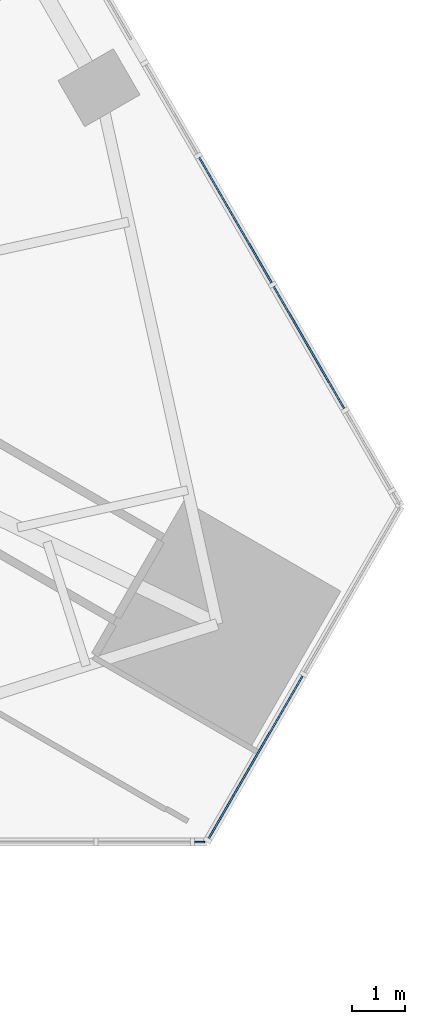
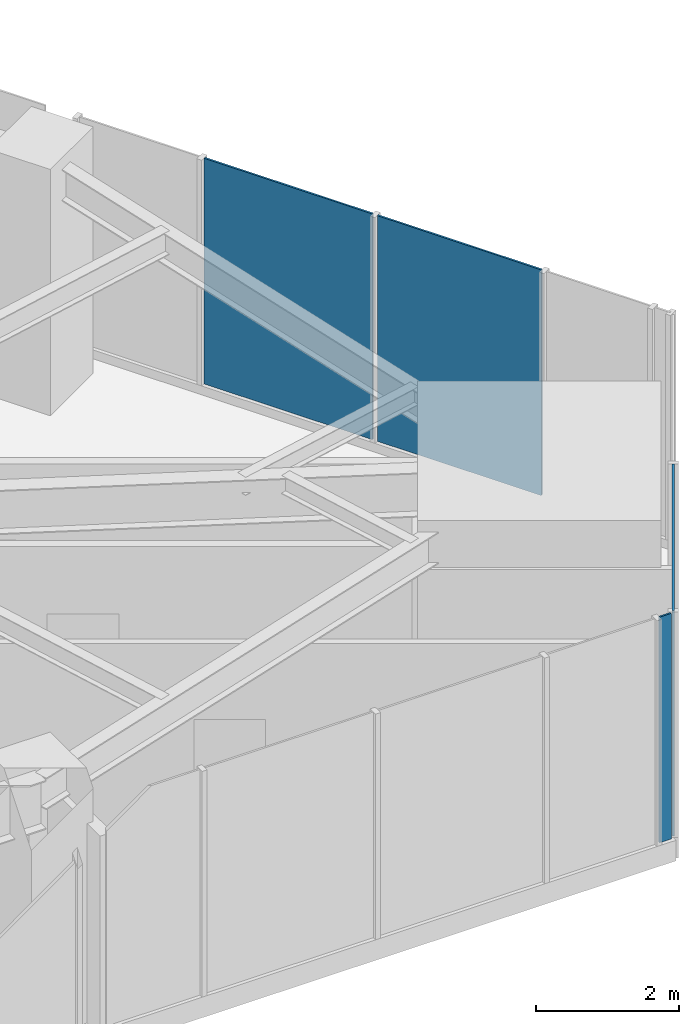
# One storey, part 17 of 29: 4 plates, 3 elements without a shape of their own.
"""IFC4 building model written with IfcOpenShell, lengths in metres."""

from ifc_helpers import new_model, si_unit, direction, frame, origin, place, context, subcontext, project, spatial, polyline, outline, extrude, material, layer, layer_set, type_object, element, aggregate, save


model = new_model("IFC4")

# Units and contexts
model_context = context("Model", 3, precision=1e-05, world=origin(), true_north=direction((0.0, 1.0)))
body_context = subcontext(model_context, "Body", "Model", "MODEL_VIEW")
ifc_project = project(units=[si_unit("LENGTHUNIT", "METRE"), si_unit("AREAUNIT", "SQUARE_METRE"), si_unit("VOLUMEUNIT", "CUBIC_METRE"), si_unit("PLANEANGLEUNIT", "RADIAN"), si_unit("MASSUNIT", "GRAM", prefix="KILO")], contexts=[model_context])

# Site, building, storey
site_placement = place(None, origin())
site = spatial("IfcSite", under=ifc_project, at=site_placement, CompositionType="ELEMENT")
building_placement = place(site_placement, origin())
building = spatial("IfcBuilding", under=site, at=building_placement, Name="Firuza Gate Tower and Library", CompositionType="ELEMENT")
storey_placement = place(building_placement, frame((0.0, 0.0, 44.199951171875)))
storey = spatial("IfcBuildingStorey", under=building, at=storey_placement, Name="L09", CompositionType="ELEMENT", Elevation=44.199951171875)

# Curtain wall, plate
ifc_material_1 = material(Name="Aluminium 6063-T6", Category="aluminium")
ifc_layer_1 = layer(ifc_material_1, 0.14990234375)
ifc_layer_set_1 = layer_set([ifc_layer_1], Name="Corner curtain wall, chamfers")
curtain_wall_type_1 = type_object("IfcCurtainWallType", Name="Corner curtain wall, chamfers", PredefinedType="NOTDEFINED", material=ifc_layer_set_1)
placement = place(storey_placement, origin())
curtain_wall_1 = element("IfcCurtainWall", 1, at=placement, inside=storey, type_object=curtain_wall_type_1, Name="CW4 L09 SE corner", PredefinedType="NOTDEFINED")
ifc_material_2 = material(Name="Fritted glass", Category="glass")
ifc_layer_2 = layer(ifc_material_2, 0.030029296875)
ifc_layer_set_2 = layer_set([ifc_layer_2], Name="Fritted glass unit, corners")
plate_type_1 = type_object("IfcPlateType", Name="Fritted glass unit, corners", PredefinedType="CURTAIN_PANEL", material=ifc_layer_set_2)
plate_1_placement = place(storey_placement, frame((103.876220703125, 54.16748046875, 0.150146484375), z_axis=(0.866016723041, -0.500015035186, 0.0), x_axis=(0.500015035186, 0.866016723041, 0.0)))
plate_1 = element("IfcPlate", 2, at=plate_1_placement, type_object=plate_type_1, Name="Glass unit", PredefinedType="CURTAIN_PANEL", context=body_context, shape_type="SweptSolid", body=[
    extrude(outline(polyline([(0.0, 0.0), (3.5633694106530625, 0.0), (3.5633694106530625, 3.849853515625), (0.0, 3.849853515625), (0.0, 0.0)])), origin(), (0.0, 0.0, -1.0), 0.030029296875),
])
aggregate(curtain_wall_1, [plate_1])

ifc_material_3 = material(Name="Aluminium 6063-T6", Category="aluminium")
ifc_layer_3 = layer(ifc_material_3, 0.14990234375)
ifc_layer_set_3 = layer_set([ifc_layer_3], Name="Unitised curtain wall, offices")
curtain_wall_type_2 = type_object("IfcCurtainWallType", Name="Unitised curtain wall, offices", PredefinedType="NOTDEFINED", material=ifc_layer_set_3)
curtain_wall_2 = element("IfcCurtainWall", 3, at=placement, inside=storey, type_object=curtain_wall_type_2, Name="CW1 L09 S face", PredefinedType="NOTDEFINED")
ifc_material_4 = material(Name="Glazed ceramic tile")
ifc_layer_4 = layer(ifc_material_4, 0.030029296875)
ifc_layer_set_4 = layer_set([ifc_layer_4], Name="Opaque ceramic panel, offices")
plate_type_2 = type_object("IfcPlateType", Name="Opaque ceramic panel, offices", PredefinedType="CURTAIN_PANEL", material=ifc_layer_set_4)
plate_2_placement = place(storey_placement, frame((103.6171875, 54.12548828125, 0.150146484375), z_axis=(0.0, -1.0, 0.0), x_axis=(1.0, 0.0, 0.0)))
plate_2 = element("IfcPlate", 4, at=plate_2_placement, type_object=plate_type_2, Name="Opaque ceramic panel", PredefinedType="CURTAIN_PANEL", context=body_context, shape_type="SweptSolid", body=[
    extrude(outline(polyline([(0.0, 0.0), (0.18603515625, 0.0), (0.18603515625, 3.849853515625), (0.0, 3.849853515625), (0.0, 0.0)])), origin(), (0.0, 0.0, -1.0), 0.030029296875),
])
aggregate(curtain_wall_2, [plate_2])

# Curtain wall, plates
curtain_wall_3 = element("IfcCurtainWall", 5, at=placement, inside=storey, type_object=curtain_wall_type_2, Name="CW1 L09 E face", PredefinedType="NOTDEFINED")
plate_3_placement = place(storey_placement, frame((106.439208984375, 62.294921875, 0.150146484375), z_axis=(0.866031967744, 0.499988630717, 0.0), x_axis=(-0.499988630717, 0.866031967744, 0.0)))
plate_3 = element("IfcPlate", 6, at=plate_3_placement, type_object=plate_type_2, Name="Opaque ceramic panel", PredefinedType="CURTAIN_PANEL", context=body_context, shape_type="SweptSolid", body=[
    extrude(outline(polyline([(0.0, 0.0), (2.6465445536285275, 0.0), (2.6465445536285275, 3.849853515625), (0.0, 3.849853515625), (0.0, 0.0)])), origin(), (0.0, 0.0, -1.0), 0.030029296875),
])
plate_4_placement = place(storey_placement, frame((105.075927734375, 64.656005859375, 0.150146484375), z_axis=(0.866040517432, 0.499973821481, 0.0), x_axis=(-0.499973821481, 0.866040517432, 0.0)))
plate_4 = element("IfcPlate", 7, at=plate_4_placement, type_object=plate_type_2, Name="Opaque ceramic panel", PredefinedType="CURTAIN_PANEL", context=body_context, shape_type="SweptSolid", body=[
    extrude(outline(polyline([(0.0, 0.0), (2.7184040463331014, 0.0), (2.7184040463331014, 3.849853515625), (0.0, 3.849853515625), (0.0, 0.0)])), origin(), (0.0, 0.0, -1.0), 0.030029296875),
])
aggregate(curtain_wall_3, [plate_3, plate_4])

save(model, "model.ifc")
